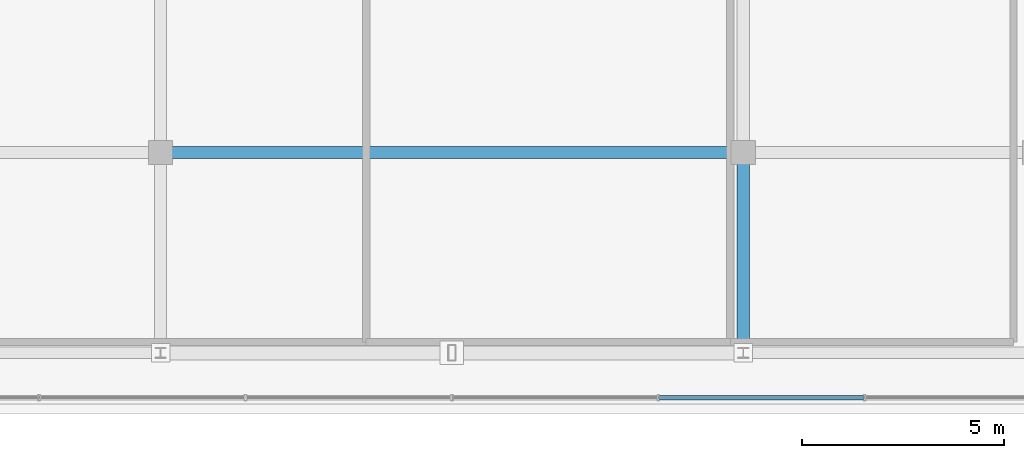
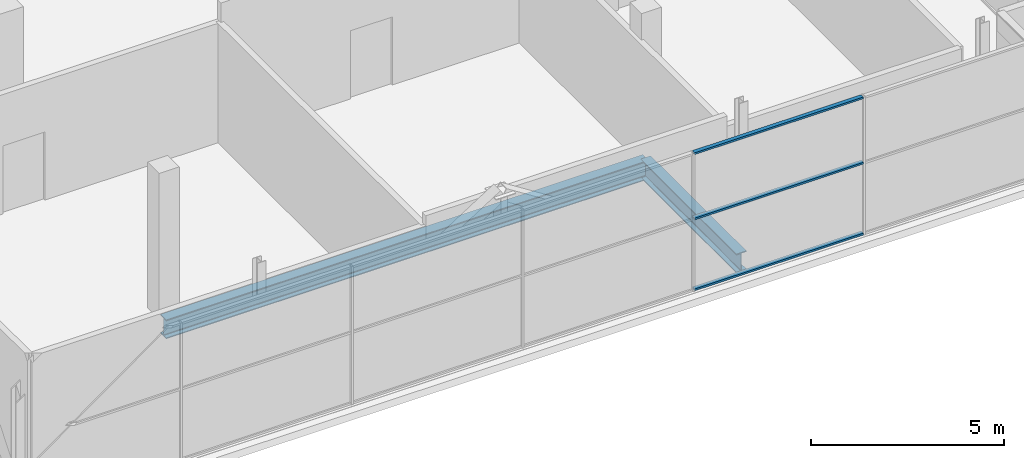
# One storey, part 11 of 28: 3 members, 2 beams, 1 element without a shape of its own.
"""IFC4 building model written with IfcOpenShell, lengths in metres."""

from ifc_helpers import new_model, si_unit, direction, frame, origin, origin_2d, place, context, subcontext, project, spatial, hollow_rectangle, i_section, extrude, source, transform, mapped, material, layer, layer_set, material_profile, profile_set, type_object, element, aggregate, save


model = new_model("IFC4")

# Units and contexts
model_context = context("Model", 3, precision=1e-05, world=origin(), true_north=direction((0.0, 1.0)))
body_context = subcontext(model_context, "Body", "Model", "MODEL_VIEW")
ifc_project = project(units=[si_unit("LENGTHUNIT", "METRE"), si_unit("AREAUNIT", "SQUARE_METRE"), si_unit("VOLUMEUNIT", "CUBIC_METRE"), si_unit("PLANEANGLEUNIT", "RADIAN"), si_unit("MASSUNIT", "GRAM", prefix="KILO")], contexts=[model_context])

# Site, building, storey
site_placement = place(None, origin())
site = spatial("IfcSite", under=ifc_project, at=site_placement, CompositionType="ELEMENT")
building_placement = place(site_placement, origin())
building = spatial("IfcBuilding", under=site, at=building_placement, Name="Zarnakvel Exchange Tower", CompositionType="ELEMENT")
storey_placement = place(building_placement, frame((0.0, 0.0, 290.0)))
storey = spatial("IfcBuildingStorey", under=building, at=storey_placement, Name="Crown L81", CompositionType="ELEMENT", Elevation=290.0)

# Beams
ifc_material_1 = material(Name="Steel S355", Category="steel")
ifc_material_profile_1 = material_profile(ifc_material_1, i_section(OverallWidth=0.300048828125, OverallDepth=0.60009765625, WebThickness=0.015380859375, FlangeThickness=0.030029296875, FilletRadius=0.027099609375, at=origin_2d()))
ifc_profile_set_1 = profile_set([ifc_material_profile_1], Name="Steel S355")
beam_type = type_object("IfcBeamType", Name="G-04", PredefinedType="BEAM", material=ifc_profile_set_1)
beam_1_placement = place(storey_placement, frame((-7.199951171875, -9.60009765625, -0.52001953125), z_axis=(1.0, 0.0, 0.0), x_axis=(0.0, 1.0, 0.0)))
element("IfcBeam", 1, at=beam_1_placement, inside=storey, type_object=beam_type, Name="Crown L81 Tower E-W Frame Beam", PredefinedType="BEAM", context=body_context, shape_type="SweptSolid", body=[
    extrude(i_section(OverallWidth=0.300048828125, OverallDepth=0.60009765625, WebThickness=0.015380859375, FlangeThickness=0.030029296875, FilletRadius=0.027099609375, at=origin_2d()), origin(), (0.0, 0.0, 1.0), 14.39990234375),
])
beam_2_placement = place(storey_placement, frame((7.199951171875, -14.550048828125, -0.52001953125), z_axis=(0.0, 1.0, 0.0), x_axis=(-1.0, 0.0, 0.0)))
element("IfcBeam", 2, at=beam_2_placement, inside=storey, type_object=beam_type, Name="Crown L81 Tower N-S Frame Beam", PredefinedType="BEAM", context=body_context, shape_type="SweptSolid", body=[
    extrude(i_section(OverallWidth=0.300048828125, OverallDepth=0.60009765625, WebThickness=0.015380859375, FlangeThickness=0.030029296875, FilletRadius=0.027099609375, at=origin_2d()), origin(), (0.0, 0.0, 1.0), 4.949951171875),
])

# Curtain wall, members
ifc_material_2 = material(Name="Architectural Bronze Anodised Aluminium", Category="aluminium")
ifc_layer = layer(ifc_material_2, 0.14990234375)
ifc_layer_set = layer_set([ifc_layer], Name="Architectural Bronze Anodised Aluminium")
curtain_wall_type = type_object("IfcCurtainWallType", Name="CW-07", PredefinedType="NOTDEFINED", material=ifc_layer_set)
curtain_wall_placement = place(storey_placement, origin())
curtain_wall = element("IfcCurtainWall", 3, at=curtain_wall_placement, inside=storey, type_object=curtain_wall_type, Name="Crown L81 Curtain Wall CW-Crown L81-S (CW-07)", PredefinedType="NOTDEFINED")
ifc_material_profile_2 = material_profile(ifc_material_2, hollow_rectangle(XDim=0.1201171875, YDim=0.06005859375, WallThickness=0.00390625, at=origin_2d()))
ifc_profile_set_2 = profile_set([ifc_material_profile_2], Name="Architectural Bronze Anodised Aluminium")
member_type = type_object("IfcMemberType", Name="CWT-07", PredefinedType="USERDEFINED", material=ifc_profile_set_2)
shared_shape = source(origin(), body_context, "Body", "SweptSolid", [
    extrude(hollow_rectangle(XDim=0.1201171875, YDim=0.06005859375, WallThickness=0.00390625, at=origin_2d()), origin(), (0.0, 0.0, 1.0), 5.0400390625),
])
member_1_placement = place(storey_placement, frame((5.1298828125, -15.659912109375, 0.030029296875), z_axis=(1.0, 0.0, 0.0), x_axis=(0.0, 1.0, 0.0)))
member_1 = element("IfcMember", 4, at=member_1_placement, type_object=member_type, Name="CW-07 transom 5.1", ObjectType="TRANSOM", PredefinedType="USERDEFINED", context=body_context, shape_type="MappedRepresentation", body=[
    mapped(shared_shape, transform((0.0, 0.0, 0.0), x_axis=(1.0, 0.0, 0.0), y_axis=(0.0, 1.0, 0.0), z_axis=(0.0, 0.0, 1.0), scale=1.0)),
])
member_2_placement = place(storey_placement, frame((5.1298828125, -15.659912109375, 2.26708984375), z_axis=(1.0, 0.0, 0.0), x_axis=(0.0, 1.0, 0.0)))
member_2 = element("IfcMember", 5, at=member_2_placement, type_object=member_type, Name="CW-07 transom 5.2", ObjectType="TRANSOM", PredefinedType="USERDEFINED", context=body_context, shape_type="MappedRepresentation", body=[
    mapped(shared_shape, transform((0.0, 0.0, 0.0), x_axis=(1.0, 0.0, 0.0), y_axis=(0.0, 1.0, 0.0), z_axis=(0.0, 0.0, 1.0), scale=1.0)),
])
member_3_placement = place(storey_placement, frame((5.1298828125, -15.659912109375, 4.330078125), z_axis=(1.0, 0.0, 0.0), x_axis=(0.0, 1.0, 0.0)))
member_3 = element("IfcMember", 6, at=member_3_placement, type_object=member_type, Name="CW-07 transom 5.3", ObjectType="TRANSOM", PredefinedType="USERDEFINED", context=body_context, shape_type="MappedRepresentation", body=[
    mapped(shared_shape, transform((0.0, 0.0, 0.0), x_axis=(1.0, 0.0, 0.0), y_axis=(0.0, 1.0, 0.0), z_axis=(0.0, 0.0, 1.0), scale=1.0)),
])
aggregate(curtain_wall, [member_1, member_2, member_3])

save(model, "model.ifc")
